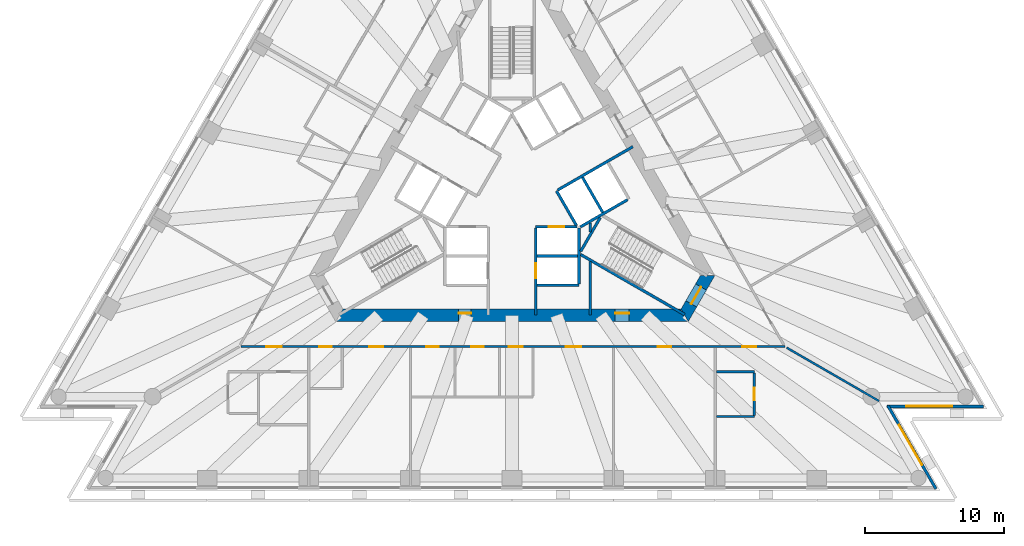
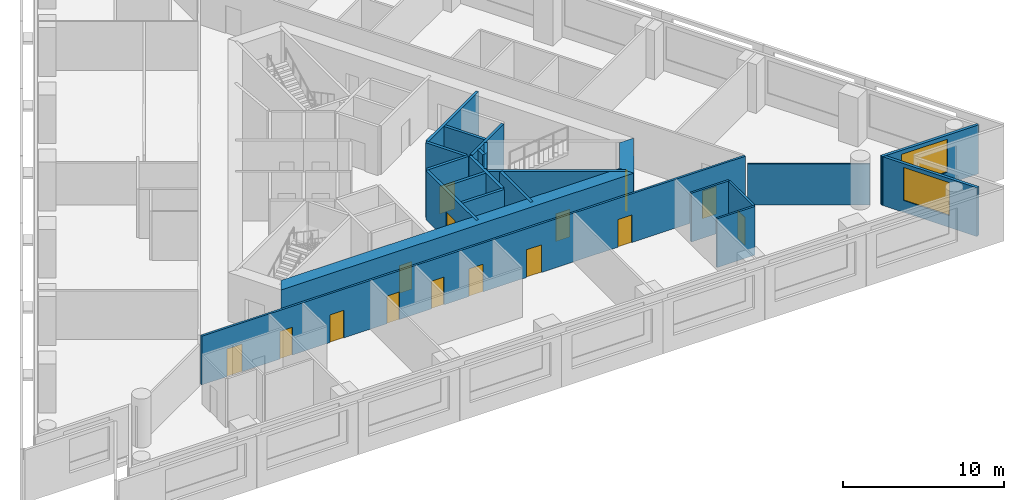
# One storey, part 5 of 11: 22 walls, 15 doors, 2 windows, 17 openings.
"""IFC4 building model written with IfcOpenShell, lengths in metres."""

from ifc_helpers import new_model, si_unit, direction, frame, frame_2d, origin, place, context, subcontext, project, spatial, polyline, rectangle, outline, extrude, material, layer, layer_set, layer_usage, type_object, element, fill, save


model = new_model("IFC4")

# Units and contexts
model_context = context("Model", 3, precision=1e-05, world=origin(), true_north=direction((0.0, 1.0)))
body_context = subcontext(model_context, "Body", "Model", "MODEL_VIEW")
ifc_project = project(units=[si_unit("LENGTHUNIT", "METRE"), si_unit("AREAUNIT", "SQUARE_METRE"), si_unit("VOLUMEUNIT", "CUBIC_METRE"), si_unit("PLANEANGLEUNIT", "RADIAN"), si_unit("MASSUNIT", "GRAM", prefix="KILO")], contexts=[model_context])

# Site, building, storey
site_placement = place(None, origin())
site = spatial("IfcSite", under=ifc_project, at=site_placement, CompositionType="ELEMENT")
building_placement = place(site_placement, origin())
building = spatial("IfcBuilding", under=site, at=building_placement, Name="Triada Interchange Tower", CompositionType="ELEMENT")
storey_placement = place(building_placement, frame((0.0, 0.0, 71.300048828125)))
storey = spatial("IfcBuildingStorey", under=building, at=storey_placement, Name="L15", CompositionType="ELEMENT", Elevation=71.300048828125)

# Walls
ifc_material_1 = material(Name="Concrete C30/37", Category="concrete")
ifc_layer_1 = layer(ifc_material_1, 0.199951171875)
ifc_layer_set_1 = layer_set([ifc_layer_1], Name="CORE WALL 200 EI 120")
wall_type_1 = type_object("IfcWallType", Name="CORE WALL 200 EI 120", PredefinedType="SOLIDWALL", material=ifc_layer_set_1)
wall_1_placement = place(storey_placement, frame((1.800048828125, -4.800048828125, 0.0), z_axis=(0.0, 0.0, 1.0), x_axis=(1.0, 0.0, 0.0)))
element("IfcWall", 1, at=wall_1_placement, inside=storey, type_object=wall_type_1, Name="Wall L15 55", PredefinedType="SOLIDWALL", context=body_context, shape_type="SweptSolid", body=[
    extrude(rectangle(XDim=2.89990234375, YDim=0.199951171875, at=frame_2d((1.449951171875, 0.0))), origin(), (0.0, 0.0, 1.0), 3.699951171875),
])
wall_2_placement = place(storey_placement, frame((1.800048828125, -6.89990234375, 0.0), z_axis=(0.0, 0.0, 1.0), x_axis=(1.0, 0.0, 0.0)))
element("IfcWall", 2, at=wall_2_placement, inside=storey, type_object=wall_type_1, Name="Wall L15 58", PredefinedType="SOLIDWALL", context=body_context, shape_type="SweptSolid", body=[
    extrude(rectangle(XDim=3.0, YDim=0.199951171875, at=frame_2d((1.5, 0.0))), origin(), (0.0, 0.0, 1.0), 3.699951171875),
])

# Wall, opening, door
wall_3_placement = place(storey_placement, frame((1.702880859375, -2.699951171875, 0.0), z_axis=(0.0, 0.0, 1.0), x_axis=(1.0, 0.0, 0.0)))
wall_3 = element("IfcWall", 3, at=wall_3_placement, inside=storey, type_object=wall_type_1, Name="Wall L15 61", PredefinedType="SOLIDWALL", context=body_context, shape_type="SweptSolid", body=[
    extrude(rectangle(XDim=2.97314453125, YDim=0.199951171875, at=frame_2d((1.486572265625, 0.0))), origin(), (0.0, 0.0, 1.0), 3.699951171875),
])
opening_1_placement = place(wall_3_placement, frame((0.93603515625, 0.0, 0.0)))
opening_1 = element("IfcOpeningElement", 4, at=opening_1_placement, cuts=wall_3, Name="Opening LD-LR1", PredefinedType="OPENING", context=body_context, shape_type="SweptSolid", body=[
    extrude(rectangle(XDim=1.10009765625, YDim=2.10009765625, at=frame_2d((0.550048828125, 1.050048828125))), frame((0.0, 0.10986328125, 0.0), z_axis=(0.0, -1.0, 0.0), x_axis=(1.0, 0.0, 0.0)), (0.0, 0.0, 1.0), 0.219970703125),
])
ifc_material_2 = material(Name="Steel S235 door leaf", Category="steel")
door_type_1 = type_object("IfcDoorType", Name="LIFT LANDING DOOR 1100 EI 120", OperationType="SLIDING_TO_LEFT", PredefinedType="DOOR", material=ifc_material_2)
door_1_placement = place(opening_1_placement, origin())
door_1 = element("IfcDoor", 5, at=door_1_placement, inside=storey, type_object=door_type_1, Name="LR1 landing door L15", OperationType="SLIDING_TO_LEFT", OverallHeight=2.10009765625, OverallWidth=1.10009765625, PredefinedType="DOOR", context=body_context, shape_type="SweptSolid", body=[
    extrude(rectangle(XDim=1.10009765625, YDim=2.10009765625, at=frame_2d((0.550048828125, 1.050048828125))), frame((0.0, 0.02490234375, 0.0), z_axis=(0.0, -1.0, 0.0), x_axis=(1.0, 0.0, 0.0)), (0.0, 0.0, 1.0), 0.050048828125),
])
fill(opening_1, door_1)

# Wall
wall_4_placement = place(storey_placement, frame((3.18994140625, -0.125, 0.0), z_axis=(0.0, 0.0, 1.0), x_axis=(0.499988658015, -0.866031951983, 0.0)))
element("IfcWall", 6, at=wall_4_placement, inside=storey, type_object=wall_type_1, Name="Wall L15 64", PredefinedType="SOLIDWALL", context=body_context, shape_type="SweptSolid", body=[
    extrude(rectangle(XDim=2.85791015625, YDim=0.199951171875, at=frame_2d((1.428955078125, 0.0))), origin(), (0.0, 0.0, 1.0), 3.699951171875),
])

# Wall, opening, door
wall_5_placement = place(storey_placement, frame((1.699951171875, -9.030029296875, 0.0), z_axis=(0.0, 0.0, 1.0), x_axis=(0.0, 1.0, 0.0)))
wall_5 = element("IfcWall", 7, at=wall_5_placement, inside=storey, type_object=wall_type_1, Name="Wall L15 66", PredefinedType="SOLIDWALL", context=body_context, shape_type="SweptSolid", body=[
    extrude(rectangle(XDim=6.22705078125, YDim=0.199951171875, at=frame_2d((3.113525390625, 0.0))), origin(), (0.0, 0.0, 1.0), 3.699951171875),
])
opening_2_placement = place(wall_5_placement, frame((2.6298828125, 0.0, 0.0)))
opening_2 = element("IfcOpeningElement", 8, at=opening_2_placement, cuts=wall_5, Name="Opening LD-LR2", PredefinedType="OPENING", context=body_context, shape_type="SweptSolid", body=[
    extrude(rectangle(XDim=1.10009765625, YDim=2.10009765625, at=frame_2d((0.550048828125, 1.050048828125))), frame((0.0, 0.10986328125, 0.0), z_axis=(0.0, -1.0, 0.0), x_axis=(1.0, 0.0, 0.0)), (0.0, 0.0, 1.0), 0.219970703125),
])
door_2_placement = place(opening_2_placement, origin())
door_2 = element("IfcDoor", 9, at=door_2_placement, inside=storey, type_object=door_type_1, Name="LR2 landing door L15", OperationType="SLIDING_TO_LEFT", OverallHeight=2.10009765625, OverallWidth=1.10009765625, PredefinedType="DOOR", context=body_context, shape_type="SweptSolid", body=[
    extrude(rectangle(XDim=1.10009765625, YDim=2.10009765625, at=frame_2d((0.550048828125, 1.050048828125))), frame((0.0, 0.02490234375, 0.0), z_axis=(0.0, -1.0, 0.0), x_axis=(1.0, 0.0, 0.0)), (0.0, 0.0, 1.0), 0.050048828125),
])
fill(opening_2, door_2)

# Walls
wall_6_placement = place(storey_placement, frame((4.800048828125, -6.800048828125, 0.0), z_axis=(0.0, 0.0, 1.0), x_axis=(0.0, 1.0, 0.0)))
element("IfcWall", 10, at=wall_6_placement, inside=storey, type_object=wall_type_1, Name="Wall L15 67", PredefinedType="SOLIDWALL", context=body_context, shape_type="SweptSolid", body=[
    extrude(rectangle(XDim=4.029052734375, YDim=0.199951171875, at=frame_2d((2.0146484375, 0.0))), origin(), (0.0, 0.0, 1.0), 3.699951171875),
])
wall_7_placement = place(storey_placement, frame((3.278076171875, -0.071044921875, 0.0), z_axis=(0.0, 0.0, 1.0), x_axis=(0.865953757655, 0.500124074208, 0.0)))
element("IfcWall", 11, at=wall_7_placement, inside=storey, type_object=wall_type_1, Name="Wall L15 68", PredefinedType="SOLIDWALL", context=body_context, shape_type="SweptSolid", body=[
    extrude(rectangle(XDim=6.2265625, YDim=0.199951171875, at=frame_2d((3.11328125, 0.0))), origin(), (0.0, 0.0, 1.0), 3.699951171875),
])
wall_8_placement = place(storey_placement, frame((5.056884765625, 0.841064453125, 0.0), z_axis=(0.0, 0.0, 1.0), x_axis=(0.50012328804, -0.865954211699, 0.0)))
element("IfcWall", 12, at=wall_8_placement, inside=storey, type_object=wall_type_1, Name="Wall L15 72", PredefinedType="SOLIDWALL", context=body_context, shape_type="SweptSolid", body=[
    extrude(rectangle(XDim=2.899658203125, YDim=0.199951171875, at=frame_2d((1.44970703125, 0.0))), origin(), (0.0, 0.0, 1.0), 3.699951171875),
])
wall_9_placement = place(storey_placement, frame((4.89990234375, -2.714111328125, 0.0), z_axis=(0.0, 0.0, 1.0), x_axis=(0.865992350556, 0.500057245502, 0.0)))
element("IfcWall", 13, at=wall_9_placement, inside=storey, type_object=wall_type_1, Name="Wall L15 73", PredefinedType="SOLIDWALL", context=body_context, shape_type="SweptSolid", body=[
    extrude(rectangle(XDim=3.91357421875, YDim=0.199951171875, at=frame_2d((1.956787109375, 0.0))), origin(), (0.0, 0.0, 1.0), 3.699951171875),
])
ifc_layer_2 = layer(ifc_material_1, 0.199951171875)
ifc_layer_set_2 = layer_set([ifc_layer_2], Name="CORE WALL 200 EI 90")
wall_type_2 = type_object("IfcWallType", Name="CORE WALL 200 EI 90", PredefinedType="SOLIDWALL", material=ifc_layer_set_2)
wall_10_placement = place(storey_placement, frame((5.612060546875, -9.030029296875, 0.0), z_axis=(0.0, 0.0, 1.0), x_axis=(0.0, 1.0, 0.0)))
element("IfcWall", 14, at=wall_10_placement, inside=storey, type_object=wall_type_2, Name="Wall L15 91", PredefinedType="SOLIDWALL", context=body_context, shape_type="SweptSolid", body=[
    extrude(rectangle(XDim=3.8271484375, YDim=0.199951171875, at=frame_2d((1.91357421875, 0.0))), origin(), (0.0, 0.0, 1.0), 3.699951171875),
])
wall_11_placement = place(storey_placement, frame((5.612060546875, -3.080078125, 0.0), z_axis=(0.0, 0.0, 1.0), x_axis=(0.0, 1.0, 0.0)))
element("IfcWall", 15, at=wall_11_placement, inside=storey, type_object=wall_type_2, Name="Wall L15 92", PredefinedType="SOLIDWALL", context=body_context, shape_type="SweptSolid", body=[
    extrude(rectangle(XDim=0.662109375, YDim=0.199951171875, at=frame_2d((0.3310546875, 0.0))), origin(), (0.0, 0.0, 1.0), 3.699951171875),
])
ifc_layer_3 = layer(ifc_material_1, 0.199951171875)
ifc_layer_set_3 = layer_set([ifc_layer_3], Name="CORE WALL 200 REI 240")
wall_type_3 = type_object("IfcWallType", Name="CORE WALL 200 REI 240", PredefinedType="SOLIDWALL", material=ifc_layer_set_3)
wall_12_placement = place(storey_placement, frame((4.928955078125, -4.693115234375, 0.0), z_axis=(0.0, 0.0, 1.0), x_axis=(0.866010975815, -0.500024989144, 0.0)))
element("IfcWall", 16, at=wall_12_placement, inside=storey, type_object=wall_type_3, Name="Wall L15 99", PredefinedType="SOLIDWALL", context=body_context, shape_type="SweptSolid", body=[
    extrude(rectangle(XDim=8.615234375, YDim=0.199951171875, at=frame_2d((4.3076171875, 0.0))), origin(), (0.0, 0.0, 1.0), 3.699951171875),
])
wall_13_placement = place(storey_placement, frame((4.928955078125, -4.4619140625, 0.0), z_axis=(0.0, 0.0, 1.0), x_axis=(0.500200581029, 0.865909567298, 0.0)))
element("IfcWall", 17, at=wall_13_placement, inside=storey, type_object=wall_type_3, Name="Wall L15 100", PredefinedType="SOLIDWALL", context=body_context, shape_type="SweptSolid", body=[
    extrude(rectangle(XDim=2.799072265625, YDim=0.199951171875, at=frame_2d((1.3994140625, 0.0))), origin(), (0.0, 0.0, 1.0), 3.699951171875),
])

# Wall, openings, doors
ifc_material_3 = material(Name="Concrete C70/85", Category="concrete")
ifc_layer_4 = layer(ifc_material_3, 0.89990234375)
ifc_layer_set_4 = layer_set([ifc_layer_4], Name="Core wall A 900")
wall_type_4 = type_object("IfcWallType", Name="Core wall A 900", PredefinedType="SHEAR", material=ifc_layer_set_4)
wall_14_placement = place(storey_placement, frame((-12.384033203125, -9.050048828125, -0.300048828125), z_axis=(0.0, 0.0, 1.0), x_axis=(1.0, 0.0, 0.0)))
wall_14 = element("IfcWall", 18, at=wall_14_placement, inside=storey, type_object=wall_type_4, Name="Core wall WA04 L15", PredefinedType="SHEAR", context=body_context, shape_type="SweptSolid", body=[
    extrude(outline(polyline([(-0.260009765625, -0.449951171875), (1.685302734375, -0.449951171875), (3.63037109375, -0.449951171875), (5.57568359375, -0.449951171875), (7.52099609375, -0.449951171875), (9.466064453125, -0.449951171875), (11.411376953125, -0.449951171875), (13.356689453125, -0.449951171875), (15.302001953125, -0.449951171875), (17.2470703125, -0.449951171875), (19.1923828125, -0.449951171875), (21.1376953125, -0.449951171875), (23.082763671875, -0.449951171875), (25.028076171875, -0.449951171875), (24.508056640625, 0.449951171875), (22.642822265625, 0.449951171875), (20.777587890625, 0.449951171875), (18.912353515625, 0.449951171875), (17.047119140625, 0.449951171875), (15.181884765625, 0.449951171875), (13.316650390625, 0.449951171875), (11.451416015625, 0.449951171875), (9.586181640625, 0.449951171875), (7.720947265625, 0.449951171875), (5.855712890625, 0.449951171875), (3.990478515625, 0.449951171875), (2.125244140625, 0.449951171875), (0.260009765625, 0.449951171875), (-0.260009765625, -0.449951171875)])), origin(), (0.0, 0.0, 1.0), 4.0),
])
opening_3_placement = place(wall_14_placement, frame((8.548095703125, 0.0, 0.300048828125)))
opening_3 = element("IfcOpeningElement", 19, at=opening_3_placement, cuts=wall_14, Name="Opening D15-48", PredefinedType="OPENING", context=body_context, shape_type="SweptSolid", body=[
    extrude(rectangle(XDim=0.89990234375, YDim=2.10009765625, at=frame_2d((0.449951171875, 1.050048828125))), frame((0.0, 0.4599609375, 0.0), z_axis=(0.0, -1.0, 0.0), x_axis=(1.0, 0.0, 0.0)), (0.0, 0.0, 1.0), 0.919921875),
])
opening_4_placement = place(wall_14_placement, frame((19.7880859375, 0.0, 0.300048828125)))
opening_4 = element("IfcOpeningElement", 20, at=opening_4_placement, cuts=wall_14, Name="Opening D15-49", PredefinedType="OPENING", context=body_context, shape_type="SweptSolid", body=[
    extrude(rectangle(XDim=1.0, YDim=2.10009765625, at=frame_2d((0.5, 1.050048828125))), frame((0.0, 0.4599609375, 0.0), z_axis=(0.0, -1.0, 0.0), x_axis=(1.0, 0.0, 0.0)), (0.0, 0.0, 1.0), 0.919921875),
])
door_type_2 = type_object("IfcDoorType", Name="SERVICE DOOR 1000 EI2 45-C5S200", OperationType="NOTDEFINED", PredefinedType="DOOR", material=ifc_material_2)
door_3_placement = place(opening_4_placement, origin())
door_3 = element("IfcDoor", 21, at=door_3_placement, inside=storey, type_object=door_type_2, Name="Door D15-49 L15", OperationType="SINGLE_SWING_LEFT", OverallHeight=2.10009765625, OverallWidth=1.0, PredefinedType="DOOR", context=body_context, shape_type="SweptSolid", body=[
    extrude(rectangle(XDim=1.0, YDim=2.10009765625, at=frame_2d((0.5, 1.050048828125))), frame((0.0, 0.1748046875, 0.0), z_axis=(0.0, -1.0, 0.0), x_axis=(1.0, 0.0, 0.0)), (0.0, 0.0, 1.0), 0.050048828125),
])
fill(opening_4, door_3)
door_type_3 = type_object("IfcDoorType", Name="SERVICE DOOR 900 EI2 45-C5S200", OperationType="NOTDEFINED", PredefinedType="DOOR", material=ifc_material_2)
door_4_placement = place(opening_3_placement, origin())
door_4 = element("IfcDoor", 22, at=door_4_placement, inside=storey, type_object=door_type_3, Name="Door D15-48 L15", OperationType="SINGLE_SWING_LEFT", OverallHeight=2.10009765625, OverallWidth=0.89990234375, PredefinedType="DOOR", context=body_context, shape_type="SweptSolid", body=[
    extrude(rectangle(XDim=0.89990234375, YDim=2.10009765625, at=frame_2d((0.449951171875, 1.050048828125))), frame((0.0, 0.1748046875, 0.0), z_axis=(0.0, -1.0, 0.0), x_axis=(1.0, 0.0, 0.0)), (0.0, 0.0, 1.0), 0.050048828125),
])
fill(opening_3, door_4)

# Wall, opening, door
wall_15_placement = place(storey_placement, frame((12.384033203125, -9.050048828125, -0.300048828125), z_axis=(0.0, 0.0, 1.0), x_axis=(0.500111984565, 0.865960739811, 0.0)))
wall_15 = element("IfcWall", 23, at=wall_15_placement, inside=storey, type_object=wall_type_4, Name="Core wall WA05 L15", PredefinedType="SHEAR", context=body_context, shape_type="SweptSolid", body=[
    extrude(outline(polyline([(-0.260009765625, -0.449951171875), (1.6455078125, -0.449462890625), (3.551025390625, -0.448974609375), (3.031005859375, 0.449951171875), (1.6455078125, 0.449951171875), (0.260009765625, 0.449951171875), (-0.260009765625, -0.449951171875)])), origin(), (0.0, 0.0, 1.0), 4.0),
])
opening_5_placement = place(wall_15_placement, frame((0.946044921875, 0.0, 0.300048828125)))
opening_5 = element("IfcOpeningElement", 24, at=opening_5_placement, cuts=wall_15, Name="Opening D15-46", PredefinedType="OPENING", context=body_context, shape_type="SweptSolid", body=[
    extrude(rectangle(XDim=1.39990234375, YDim=2.10009765625, at=frame_2d((0.699951171875, 1.050048828125))), frame((0.0, 0.4599609375, 0.0), z_axis=(0.0, -1.0, 0.0), x_axis=(1.0, 0.0, 0.0)), (0.0, 0.0, 1.0), 0.919921875),
])
door_type_4 = type_object("IfcDoorType", Name="STAIR DOOR 1400 EI2 90-C5S200", OperationType="DOUBLE_DOOR_SINGLE_SWING", PredefinedType="DOOR", material=ifc_material_2)
door_5_placement = place(opening_5_placement, origin())
door_5 = element("IfcDoor", 25, at=door_5_placement, inside=storey, type_object=door_type_4, Name="Door D15-46 L15", OperationType="DOUBLE_DOOR_SINGLE_SWING", OverallHeight=2.10009765625, OverallWidth=1.39990234375, PredefinedType="DOOR", context=body_context, shape_type="SweptSolid", body=[
    extrude(rectangle(XDim=1.39990234375, YDim=2.10009765625, at=frame_2d((0.699951171875, 1.050048828125))), frame((0.0, 0.02490234375, 0.0), z_axis=(0.0, -1.0, 0.0), x_axis=(1.0, 0.0, 0.0)), (0.0, 0.0, 1.0), 0.050048828125),
])
fill(opening_5, door_5)

# Wall, opening, window
ifc_material_4 = material(Name="Cement board")
ifc_layer_5 = layer(ifc_material_4, 0.02001953125, Name="Cement board cladding")
ifc_material_5 = material(Name="Sheathing board")
ifc_layer_6 = layer(ifc_material_5, 0.014892578125, Name="Sheathing board")
ifc_material_6 = material(Name="Mineral wool")
ifc_layer_7 = layer(ifc_material_6, 0.14990234375, Name="Mineral wool between steel studs")
ifc_material_7 = material(Name="Gypsum board")
ifc_layer_8 = layer(ifc_material_7, 0.014892578125, Name="Plasterboard lining")
ifc_layer_set_5 = layer_set([ifc_layer_5, ifc_layer_6, ifc_layer_7, ifc_layer_8], Name="External wall 200")
ifc_layer_usage = layer_usage(ifc_layer_set_5, "AXIS2", "POSITIVE", -0.10009765625)
wall_type_5 = type_object("IfcWallType", Name="External wall 200", PredefinedType="ELEMENTEDWALL", material=ifc_layer_set_5)
wall_16_placement = place(storey_placement, frame((30.407958984375, -21.5, 0.0), z_axis=(0.0, 0.0, 1.0), x_axis=(-0.499902111801, 0.866081912187, 0.0)))
wall_16 = element("IfcWall", 26, at=wall_16_placement, inside=storey, type_object=wall_type_5, material=ifc_layer_usage, Name="External wall L15 SE-1", PredefinedType="ELEMENTEDWALL", context=body_context, shape_type="SweptSolid", body=[
    extrude(rectangle(XDim=6.9013671875, YDim=0.199951171875, at=frame_2d((3.45068359375, 0.0))), origin(), (0.0, 0.0, 1.0), 3.699951171875),
])
opening_6_placement = place(wall_16_placement, frame((1.989990234375, 0.0, 0.89990234375)))
opening_6 = element("IfcOpeningElement", 27, at=opening_6_placement, cuts=wall_16, Name="Opening WA19", PredefinedType="OPENING", context=body_context, shape_type="SweptSolid", body=[
    extrude(rectangle(XDim=3.300048828125, YDim=2.5, at=frame_2d((1.64990234375, 1.25))), frame((0.0, 0.10986328125, 0.0), z_axis=(0.0, -1.0, 0.0), x_axis=(1.0, 0.0, 0.0)), (0.0, 0.0, 1.0), 0.219970703125),
])
ifc_material_8 = material(Name="Double glazed aluminium window", Category="aluminium")
window_type = type_object("IfcWindowType", Name="Ribbon window A pocket", PartitioningType="SINGLE_PANEL", PredefinedType="WINDOW", material=ifc_material_8)
window_1_placement = place(opening_6_placement, origin())
window_1 = element("IfcWindow", 28, at=window_1_placement, inside=storey, type_object=window_type, Name="Window L15 SE-1 1", OverallHeight=2.5, OverallWidth=3.300048828125, PartitioningType="SINGLE_PANEL", PredefinedType="WINDOW", context=body_context, shape_type="SweptSolid", body=[
    extrude(rectangle(XDim=3.300048828125, YDim=2.5, at=frame_2d((1.64990234375, 1.25))), frame((0.0, 0.030029296875, 0.0), z_axis=(0.0, -1.0, 0.0), x_axis=(1.0, 0.0, 0.0)), (0.0, 0.0, 1.0), 0.06005859375),
])
fill(opening_6, window_1)

wall_17_placement = place(storey_placement, frame((26.903076171875, -15.583984375, 0.0), z_axis=(0.0, 0.0, 1.0), x_axis=(1.0, 0.0, 0.0)))
wall_17 = element("IfcWall", 29, at=wall_17_placement, inside=storey, type_object=wall_type_5, material=ifc_layer_usage, Name="External wall L15 SE-2", PredefinedType="ELEMENTEDWALL", context=body_context, shape_type="SweptSolid", body=[
    extrude(rectangle(XDim=6.90087890625, YDim=0.199951171875, at=frame_2d((3.450439453125, 0.0))), origin(), (0.0, 0.0, 1.0), 3.699951171875),
])
opening_7_placement = place(wall_17_placement, frame((1.389892578125, 0.0, 0.89990234375)))
opening_7 = element("IfcOpeningElement", 30, at=opening_7_placement, cuts=wall_17, Name="Opening WA20", PredefinedType="OPENING", context=body_context, shape_type="SweptSolid", body=[
    extrude(rectangle(XDim=3.300048828125, YDim=2.5, at=frame_2d((1.64990234375, 1.25))), frame((0.0, 0.10986328125, 0.0), z_axis=(0.0, -1.0, 0.0), x_axis=(1.0, 0.0, 0.0)), (0.0, 0.0, 1.0), 0.219970703125),
])
window_2_placement = place(opening_7_placement, origin())
window_2 = element("IfcWindow", 31, at=window_2_placement, inside=storey, type_object=window_type, Name="Window L15 SE-2 1", OverallHeight=2.5, OverallWidth=3.300048828125, PartitioningType="SINGLE_PANEL", PredefinedType="WINDOW", context=body_context, shape_type="SweptSolid", body=[
    extrude(rectangle(XDim=3.300048828125, YDim=2.5, at=frame_2d((1.64990234375, 1.25))), frame((0.0, 0.030029296875, 0.0), z_axis=(0.0, -1.0, 0.0), x_axis=(1.0, 0.0, 0.0)), (0.0, 0.0, 1.0), 0.06005859375),
])
fill(opening_7, window_2)

# Wall, openings, doors
ifc_material_9 = material(Name="Gypsum board partition")
ifc_layer_9 = layer(ifc_material_9, 0.14990234375)
ifc_layer_set_6 = layer_set([ifc_layer_9], Name="PARTITION 150 EI 180")
wall_type_6 = type_object("IfcWallType", Name="PARTITION 150 EI 180", PredefinedType="PARTITIONING", material=ifc_layer_set_6)
wall_18_placement = place(storey_placement, frame((-19.422119140625, -11.300048828125, 0.0), z_axis=(0.0, 0.0, 1.0), x_axis=(1.0, 0.0, 0.0)))
wall_18 = element("IfcWall", 32, at=wall_18_placement, inside=storey, type_object=wall_type_6, Name="Wall L15 4", PredefinedType="PARTITIONING", context=body_context, shape_type="SweptSolid", body=[
    extrude(rectangle(XDim=38.994140625, YDim=0.14990234375, at=frame_2d((19.4970703125, 0.0))), origin(), (0.0, 0.0, 1.0), 3.699951171875),
])
opening_8_placement = place(wall_18_placement, frame((1.800048828125, 0.0, 0.0)))
opening_8 = element("IfcOpeningElement", 33, at=opening_8_placement, cuts=wall_18, Name="Opening D15-11", PredefinedType="OPENING", context=body_context, shape_type="SweptSolid", body=[
    extrude(rectangle(XDim=1.10009765625, YDim=2.10009765625, at=frame_2d((0.550048828125, 1.050048828125))), frame((0.0, 0.0849609375, 0.0), z_axis=(0.0, -1.0, 0.0), x_axis=(1.0, 0.0, 0.0)), (0.0, 0.0, 1.0), 0.169921875),
])
opening_9_placement = place(wall_18_placement, frame((9.197021484375, 0.0, 0.0)))
opening_9 = element("IfcOpeningElement", 34, at=opening_9_placement, cuts=wall_18, Name="Opening D15-14", PredefinedType="OPENING", context=body_context, shape_type="SweptSolid", body=[
    extrude(rectangle(XDim=1.0, YDim=2.10009765625, at=frame_2d((0.5, 1.050048828125))), frame((0.0, 0.0849609375, 0.0), z_axis=(0.0, -1.0, 0.0), x_axis=(1.0, 0.0, 0.0)), (0.0, 0.0, 1.0), 0.169921875),
])
opening_10_placement = place(wall_18_placement, frame((5.596923828125, 0.0, 0.0)))
opening_10 = element("IfcOpeningElement", 35, at=opening_10_placement, cuts=wall_18, Name="Opening D15-15", PredefinedType="OPENING", context=body_context, shape_type="SweptSolid", body=[
    extrude(rectangle(XDim=0.89990234375, YDim=2.10009765625, at=frame_2d((0.449951171875, 1.050048828125))), frame((0.0, 0.0849609375, 0.0), z_axis=(0.0, -1.0, 0.0), x_axis=(1.0, 0.0, 0.0)), (0.0, 0.0, 1.0), 0.169921875),
])
opening_11_placement = place(wall_18_placement, frame((23.283935546875, 0.0, 0.0)))
opening_11 = element("IfcOpeningElement", 36, at=opening_11_placement, cuts=wall_18, Name="Opening D15-16", PredefinedType="OPENING", context=body_context, shape_type="SweptSolid", body=[
    extrude(rectangle(XDim=1.10009765625, YDim=2.10009765625, at=frame_2d((0.550048828125, 1.050048828125))), frame((0.0, 0.0849609375, 0.0), z_axis=(0.0, -1.0, 0.0), x_axis=(1.0, 0.0, 0.0)), (0.0, 0.0, 1.0), 0.169921875),
])
opening_12_placement = place(wall_18_placement, frame((13.283935546875, 0.0, 0.0)))
opening_12 = element("IfcOpeningElement", 37, at=opening_12_placement, cuts=wall_18, Name="Opening D15-17", PredefinedType="OPENING", context=body_context, shape_type="SweptSolid", body=[
    extrude(rectangle(XDim=0.89990234375, YDim=2.10009765625, at=frame_2d((0.449951171875, 1.050048828125))), frame((0.0, 0.0849609375, 0.0), z_axis=(0.0, -1.0, 0.0), x_axis=(1.0, 0.0, 0.0)), (0.0, 0.0, 1.0), 0.169921875),
])
opening_13_placement = place(wall_18_placement, frame((16.48388671875, 0.0, 0.0)))
opening_13 = element("IfcOpeningElement", 38, at=opening_13_placement, cuts=wall_18, Name="Opening D15-18", PredefinedType="OPENING", context=body_context, shape_type="SweptSolid", body=[
    extrude(rectangle(XDim=0.89990234375, YDim=2.10009765625, at=frame_2d((0.449951171875, 1.050048828125))), frame((0.0, 0.0849609375, 0.0), z_axis=(0.0, -1.0, 0.0), x_axis=(1.0, 0.0, 0.0)), (0.0, 0.0, 1.0), 0.169921875),
])
opening_14_placement = place(wall_18_placement, frame((19.18408203125, 0.0, 0.0)))
opening_14 = element("IfcOpeningElement", 39, at=opening_14_placement, cuts=wall_18, Name="Opening D15-19", PredefinedType="OPENING", context=body_context, shape_type="SweptSolid", body=[
    extrude(rectangle(XDim=1.0, YDim=2.10009765625, at=frame_2d((0.5, 1.050048828125))), frame((0.0, 0.0849609375, 0.0), z_axis=(0.0, -1.0, 0.0), x_axis=(1.0, 0.0, 0.0)), (0.0, 0.0, 1.0), 0.169921875),
])
opening_15_placement = place(wall_18_placement, frame((29.860107421875, 0.0, 0.0)))
opening_15 = element("IfcOpeningElement", 40, at=opening_15_placement, cuts=wall_18, Name="Opening D15-20", PredefinedType="OPENING", context=body_context, shape_type="SweptSolid", body=[
    extrude(rectangle(XDim=1.0, YDim=2.10009765625, at=frame_2d((0.5, 1.050048828125))), frame((0.0, 0.0849609375, 0.0), z_axis=(0.0, -1.0, 0.0), x_axis=(1.0, 0.0, 0.0)), (0.0, 0.0, 1.0), 0.169921875),
])
opening_16_placement = place(wall_18_placement, frame((35.947021484375, 0.0, 0.0)))
opening_16 = element("IfcOpeningElement", 41, at=opening_16_placement, cuts=wall_18, Name="Opening D15-21", PredefinedType="OPENING", context=body_context, shape_type="SweptSolid", body=[
    extrude(rectangle(XDim=1.0, YDim=2.10009765625, at=frame_2d((0.5, 1.050048828125))), frame((0.0, 0.0849609375, 0.0), z_axis=(0.0, -1.0, 0.0), x_axis=(1.0, 0.0, 0.0)), (0.0, 0.0, 1.0), 0.169921875),
])
door_type_5 = type_object("IfcDoorType", Name="ROOM DOOR 1000 EI2 90-C5S200", OperationType="NOTDEFINED", PredefinedType="DOOR", material=ifc_material_2)
door_6_placement = place(opening_9_placement, origin())
door_6 = element("IfcDoor", 42, at=door_6_placement, inside=storey, type_object=door_type_5, Name="Door D15-14 L15", OperationType="SINGLE_SWING_RIGHT", OverallHeight=2.10009765625, OverallWidth=1.0, PredefinedType="DOOR", context=body_context, shape_type="SweptSolid", body=[
    extrude(rectangle(XDim=1.0, YDim=2.10009765625, at=frame_2d((0.5, 1.050048828125))), frame((0.0, 0.02490234375, 0.0), z_axis=(0.0, -1.0, 0.0), x_axis=(1.0, 0.0, 0.0)), (0.0, 0.0, 1.0), 0.050048828125),
])
fill(opening_9, door_6)
door_7_placement = place(opening_14_placement, origin())
door_7 = element("IfcDoor", 43, at=door_7_placement, inside=storey, type_object=door_type_5, Name="Door D15-19 L15", OperationType="SINGLE_SWING_LEFT", OverallHeight=2.10009765625, OverallWidth=1.0, PredefinedType="DOOR", context=body_context, shape_type="SweptSolid", body=[
    extrude(rectangle(XDim=1.0, YDim=2.10009765625, at=frame_2d((0.5, 1.050048828125))), frame((0.0, 0.02490234375, 0.0), z_axis=(0.0, -1.0, 0.0), x_axis=(1.0, 0.0, 0.0)), (0.0, 0.0, 1.0), 0.050048828125),
])
fill(opening_14, door_7)
door_8_placement = place(opening_15_placement, origin())
door_8 = element("IfcDoor", 44, at=door_8_placement, inside=storey, type_object=door_type_5, Name="Door D15-20 L15", OperationType="SINGLE_SWING_RIGHT", OverallHeight=2.10009765625, OverallWidth=1.0, PredefinedType="DOOR", context=body_context, shape_type="SweptSolid", body=[
    extrude(rectangle(XDim=1.0, YDim=2.10009765625, at=frame_2d((0.5, 1.050048828125))), frame((0.0, 0.02490234375, 0.0), z_axis=(0.0, -1.0, 0.0), x_axis=(1.0, 0.0, 0.0)), (0.0, 0.0, 1.0), 0.050048828125),
])
fill(opening_15, door_8)
door_9_placement = place(opening_16_placement, origin())
door_9 = element("IfcDoor", 45, at=door_9_placement, inside=storey, type_object=door_type_5, Name="Door D15-21 L15", OperationType="SINGLE_SWING_LEFT", OverallHeight=2.10009765625, OverallWidth=1.0, PredefinedType="DOOR", context=body_context, shape_type="SweptSolid", body=[
    extrude(rectangle(XDim=1.0, YDim=2.10009765625, at=frame_2d((0.5, 1.050048828125))), frame((0.0, 0.02490234375, 0.0), z_axis=(0.0, -1.0, 0.0), x_axis=(1.0, 0.0, 0.0)), (0.0, 0.0, 1.0), 0.050048828125),
])
fill(opening_16, door_9)
door_type_6 = type_object("IfcDoorType", Name="ROOM DOOR 900 EI2 90-C5S200", OperationType="NOTDEFINED", PredefinedType="DOOR", material=ifc_material_2)
door_10_placement = place(opening_12_placement, origin())
door_10 = element("IfcDoor", 46, at=door_10_placement, inside=storey, type_object=door_type_6, Name="Door D15-17 L15", OperationType="SINGLE_SWING_RIGHT", OverallHeight=2.10009765625, OverallWidth=0.89990234375, PredefinedType="DOOR", context=body_context, shape_type="SweptSolid", body=[
    extrude(rectangle(XDim=0.89990234375, YDim=2.10009765625, at=frame_2d((0.449951171875, 1.050048828125))), frame((0.0, 0.02490234375, 0.0), z_axis=(0.0, -1.0, 0.0), x_axis=(1.0, 0.0, 0.0)), (0.0, 0.0, 1.0), 0.050048828125),
])
fill(opening_12, door_10)
door_11_placement = place(opening_13_placement, origin())
door_11 = element("IfcDoor", 47, at=door_11_placement, inside=storey, type_object=door_type_6, Name="Door D15-18 L15", OperationType="SINGLE_SWING_RIGHT", OverallHeight=2.10009765625, OverallWidth=0.89990234375, PredefinedType="DOOR", context=body_context, shape_type="SweptSolid", body=[
    extrude(rectangle(XDim=0.89990234375, YDim=2.10009765625, at=frame_2d((0.449951171875, 1.050048828125))), frame((0.0, 0.02490234375, 0.0), z_axis=(0.0, -1.0, 0.0), x_axis=(1.0, 0.0, 0.0)), (0.0, 0.0, 1.0), 0.050048828125),
])
fill(opening_13, door_11)
door_type_7 = type_object("IfcDoorType", Name="SERVICE DOOR 900 EI2 90-C5S200", OperationType="NOTDEFINED", PredefinedType="DOOR", material=ifc_material_2)
door_12_placement = place(opening_10_placement, origin())
door_12 = element("IfcDoor", 48, at=door_12_placement, inside=storey, type_object=door_type_7, Name="Door D15-15 L15", OperationType="SINGLE_SWING_RIGHT", OverallHeight=2.10009765625, OverallWidth=0.89990234375, PredefinedType="DOOR", context=body_context, shape_type="SweptSolid", body=[
    extrude(rectangle(XDim=0.89990234375, YDim=2.10009765625, at=frame_2d((0.449951171875, 1.050048828125))), frame((0.0, 0.02490234375, 0.0), z_axis=(0.0, -1.0, 0.0), x_axis=(1.0, 0.0, 0.0)), (0.0, 0.0, 1.0), 0.050048828125),
])
fill(opening_10, door_12)
door_type_8 = type_object("IfcDoorType", Name="TENANCY ENTRANCE DOOR 1100 EI2 90-C5S200", OperationType="NOTDEFINED", PredefinedType="DOOR", material=ifc_material_2)
door_13_placement = place(opening_8_placement, origin())
door_13 = element("IfcDoor", 49, at=door_13_placement, inside=storey, type_object=door_type_8, Name="Door D15-11 L15", OperationType="SINGLE_SWING_RIGHT", OverallHeight=2.10009765625, OverallWidth=1.10009765625, PredefinedType="DOOR", context=body_context, shape_type="SweptSolid", body=[
    extrude(rectangle(XDim=1.10009765625, YDim=2.10009765625, at=frame_2d((0.550048828125, 1.050048828125))), frame((0.0, 0.02490234375, 0.0), z_axis=(0.0, -1.0, 0.0), x_axis=(1.0, 0.0, 0.0)), (0.0, 0.0, 1.0), 0.050048828125),
])
fill(opening_8, door_13)
door_14_placement = place(opening_11_placement, origin())
door_14 = element("IfcDoor", 50, at=door_14_placement, inside=storey, type_object=door_type_8, Name="Door D15-16 L15", OperationType="SINGLE_SWING_RIGHT", OverallHeight=2.10009765625, OverallWidth=1.10009765625, PredefinedType="DOOR", context=body_context, shape_type="SweptSolid", body=[
    extrude(rectangle(XDim=1.10009765625, YDim=2.10009765625, at=frame_2d((0.550048828125, 1.050048828125))), frame((0.0, 0.02490234375, 0.0), z_axis=(0.0, -1.0, 0.0), x_axis=(1.0, 0.0, 0.0)), (0.0, 0.0, 1.0), 0.050048828125),
])
fill(opening_11, door_14)

# Walls
wall_19_placement = place(storey_placement, frame((19.701904296875, -11.375, 0.0), z_axis=(0.0, 0.0, 1.0), x_axis=(0.866029632557, -0.499992675479, 0.0)))
element("IfcWall", 51, at=wall_19_placement, inside=storey, type_object=wall_type_6, Name="Wall L15 6", PredefinedType="PARTITIONING", context=body_context, shape_type="SweptSolid", body=[
    extrude(rectangle(XDim=7.63818359375, YDim=0.14990234375, at=frame_2d((3.819091796875, 0.0))), origin(), (0.0, 0.0, 1.0), 3.099853515625),
])
ifc_layer_10 = layer(ifc_material_9, 0.14990234375)
ifc_layer_set_7 = layer_set([ifc_layer_10], Name="PARTITION 150 EI 90")
wall_type_7 = type_object("IfcWallType", Name="PARTITION 150 EI 90", PredefinedType="PARTITIONING", material=ifc_layer_set_7)
for number, where, z_axis, x_axis, name in (
    (52, (14.64990234375, -13.10009765625, 0.0), (0.0, 0.0, 1.0), (1.0, 0.0, 0.0), "Wall L15 36"),
    (53, (14.64990234375, -16.300048828125, 0.0), (0.0, 0.0, 1.0), (1.0, 0.0, 0.0), "Wall L15 50"),
):
    element("IfcWall", number, at=place(storey_placement, frame(where, z_axis=z_axis, x_axis=x_axis)), inside=storey, type_object=wall_type_7, Name=name, PredefinedType="PARTITIONING", context=body_context, shape_type="SweptSolid", body=[
        extrude(rectangle(XDim=2.72509765625, YDim=0.14990234375, at=frame_2d((1.362548828125, 0.0))), origin(), (0.0, 0.0, 1.0), 3.699951171875),
    ])

# Wall, opening, door
wall_20_placement = place(storey_placement, frame((17.375, -16.22509765625, 0.0), z_axis=(0.0, 0.0, 1.0), x_axis=(0.0, 1.0, 0.0)))
wall_20 = element("IfcWall", 54, at=wall_20_placement, inside=storey, type_object=wall_type_7, Name="Wall L15 51", PredefinedType="PARTITIONING", context=body_context, shape_type="SweptSolid", body=[
    extrude(rectangle(XDim=3.050048828125, YDim=0.14990234375, at=frame_2d((1.52490234375, 0.0))), origin(), (0.0, 0.0, 1.0), 3.699951171875),
])
opening_17_placement = place(wall_20_placement, frame((1.074951171875, 0.0, 0.0)))
opening_17 = element("IfcOpeningElement", 55, at=opening_17_placement, cuts=wall_20, Name="Opening D15-22", PredefinedType="OPENING", context=body_context, shape_type="SweptSolid", body=[
    extrude(rectangle(XDim=0.89990234375, YDim=2.10009765625, at=frame_2d((0.449951171875, 1.050048828125))), frame((0.0, 0.0849609375, 0.0), z_axis=(0.0, -1.0, 0.0), x_axis=(1.0, 0.0, 0.0)), (0.0, 0.0, 1.0), 0.169921875),
])
door_type_9 = type_object("IfcDoorType", Name="ROOM DOOR 900 EI2 45-C5S200", OperationType="NOTDEFINED", PredefinedType="DOOR", material=ifc_material_2)
door_15_placement = place(opening_17_placement, origin())
door_15 = element("IfcDoor", 56, at=door_15_placement, inside=storey, type_object=door_type_9, Name="Door D15-22 L15", OperationType="SINGLE_SWING_RIGHT", OverallHeight=2.10009765625, OverallWidth=0.89990234375, PredefinedType="DOOR", context=body_context, shape_type="SweptSolid", body=[
    extrude(rectangle(XDim=0.89990234375, YDim=2.10009765625, at=frame_2d((0.449951171875, 1.050048828125))), frame((0.0, 0.02490234375, 0.0), z_axis=(0.0, -1.0, 0.0), x_axis=(1.0, 0.0, 0.0)), (0.0, 0.0, 1.0), 0.050048828125),
])
fill(opening_17, door_15)

save(model, "model.ifc")
